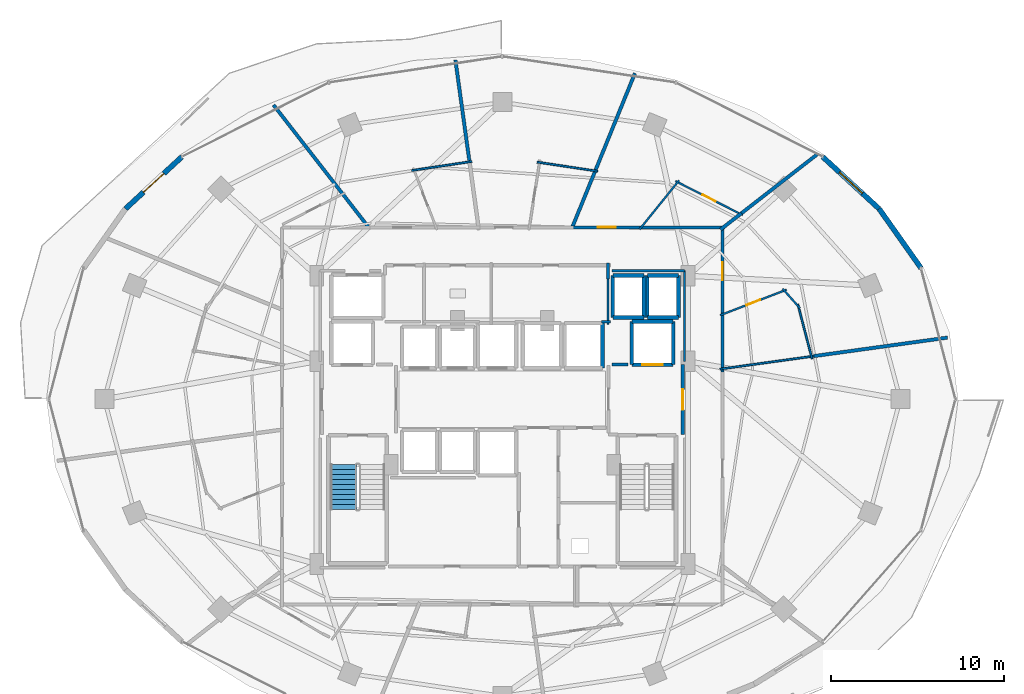
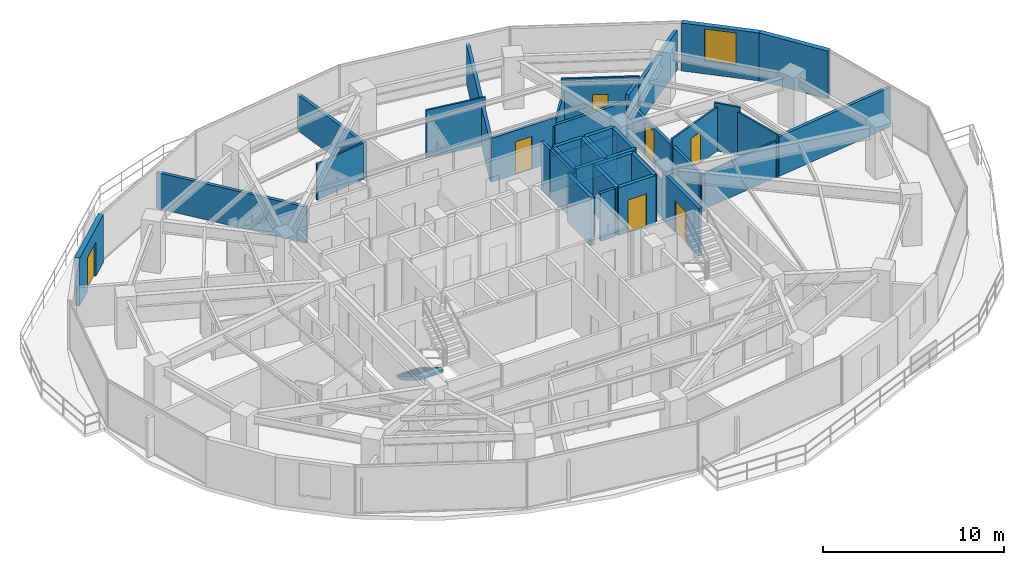
# One storey, part 25 of 30: 41 walls, 7 doors, 1 stair flight, 1 window, 8 openings, 1 element without a shape of its own.
"""IFC4 building model written with IfcOpenShell, lengths in metres."""

from ifc_helpers import new_model, si_unit, direction, frame, frame_2d, origin, place, context, subcontext, project, spatial, polyline, rectangle, outline, extrude, material, layer, layer_set, type_object, element, fill, aggregate, save


model = new_model("IFC4")

# Units and contexts
model_context = context("Model", 3, precision=1e-05, world=origin(), true_north=direction((0.0, 1.0)))
body_context = subcontext(model_context, "Body", "Model", "MODEL_VIEW")
ifc_project = project(units=[si_unit("LENGTHUNIT", "METRE"), si_unit("AREAUNIT", "SQUARE_METRE"), si_unit("VOLUMEUNIT", "CUBIC_METRE"), si_unit("PLANEANGLEUNIT", "RADIAN"), si_unit("MASSUNIT", "GRAM", prefix="KILO")], contexts=[model_context])

# Site, building, storey
site_placement = place(None, origin())
site = spatial("IfcSite", under=ifc_project, at=site_placement, CompositionType="ELEMENT")
building_placement = place(site_placement, origin())
building = spatial("IfcBuilding", under=site, at=building_placement, Name="Vorneva Point Tower", CompositionType="ELEMENT")
storey_placement = place(building_placement, frame((0.0, 0.0, 92.800048828125)))
storey = spatial("IfcBuildingStorey", under=building, at=storey_placement, Name="L24", CompositionType="ELEMENT", Elevation=92.800048828125)

# Wall, opening, door
ifc_material_1 = material(Name="Concrete B60 (C50/60)", Category="concrete")
ifc_layer_1 = layer(ifc_material_1, 0.5)
ifc_layer_set_1 = layer_set([ifc_layer_1], Name="Concrete B60 (C50/60)")
wall_type_1 = type_object("IfcWallType", Name="WL-CORE-500", PredefinedType="SHEAR", material=ifc_layer_set_1)
wall_1_placement = place(storey_placement, frame((45.5, 28.0, 0.0), z_axis=(0.0, 0.0, 1.0), x_axis=(1.0, 0.0, 0.0)))
wall_1 = element("IfcWall", 1, at=wall_1_placement, inside=storey, type_object=wall_type_1, Name="L24 Lift FFL2 Shaft Wall -Y", PredefinedType="SHEAR", context=body_context, shape_type="SweptSolid", body=[
    extrude(rectangle(XDim=2.39990234375, YDim=0.219970703125, at=frame_2d((1.199951171875, 0.0))), origin(), (0.0, 0.0, 1.0), 3.239990234375),
])
opening_1_placement = place(wall_1_placement, frame((0.60009765625, 0.0, 0.0)))
opening_1 = element("IfcOpeningElement", 2, at=opening_1_placement, cuts=wall_1, Name="Opening LD-02", PredefinedType="OPENING", context=body_context, shape_type="SweptSolid", body=[
    extrude(rectangle(XDim=1.199951171875, YDim=2.199951171875, at=frame_2d((0.60009765625, 1.10009765625))), frame((0.0, 0.125, 0.0), z_axis=(0.0, -1.0, 0.0), x_axis=(1.0, 0.0, 0.0)), (0.0, 0.0, 1.0), 0.249755859375),
])
ifc_material_2 = material(Name="Brushed stainless steel S304", Category="steel")
door_type_1 = type_object("IfcDoorType", Name="LD-FIRE-1200", OperationType="SLIDING_TO_LEFT", PredefinedType="DOOR", material=ifc_material_2)
door_1_placement = place(opening_1_placement, origin())
door_1 = element("IfcDoor", 3, at=door_1_placement, inside=storey, type_object=door_type_1, Name="L24 Lift FFL2 Sliding Landing Door", OperationType="SLIDING_TO_LEFT", OverallHeight=2.199951171875, OverallWidth=1.199951171875, PredefinedType="DOOR", context=body_context, shape_type="SweptSolid", body=[
    extrude(rectangle(XDim=1.199951171875, YDim=2.199951171875, at=frame_2d((0.60009765625, 1.10009765625))), frame((0.0, 0.02490234375, 0.0), z_axis=(0.0, -1.0, 0.0), x_axis=(1.0, 0.0, 0.0)), (0.0, 0.0, 1.0), 0.050048828125),
])
fill(opening_1, door_1)

# Walls
wall_2_placement = place(storey_placement, frame((47.89990234375, 28.0, 0.0), z_axis=(0.0, 0.0, 1.0), x_axis=(0.0, 1.0, 0.0)))
element("IfcWall", 4, at=wall_2_placement, inside=storey, type_object=wall_type_1, Name="L24 Lift FFL2 Shaft Wall +X", PredefinedType="SHEAR", context=body_context, shape_type="SweptSolid", body=[
    extrude(rectangle(XDim=2.5, YDim=0.219970703125, at=frame_2d((1.25, 0.0))), origin(), (0.0, 0.0, 1.0), 3.239990234375),
])
wall_3_placement = place(storey_placement, frame((47.89990234375, 30.5, 0.0), z_axis=(0.0, 0.0, 1.0), x_axis=(-1.0, 0.0, 0.0)))
element("IfcWall", 5, at=wall_3_placement, inside=storey, type_object=wall_type_1, Name="L24 Lift FFL2 Shaft Wall +Y", PredefinedType="SHEAR", context=body_context, shape_type="SweptSolid", body=[
    extrude(rectangle(XDim=2.39990234375, YDim=0.219970703125, at=frame_2d((1.199951171875, 0.0))), origin(), (0.0, 0.0, 1.0), 3.239990234375),
])
wall_4_placement = place(storey_placement, frame((45.5, 30.5, 0.0), z_axis=(0.0, 0.0, 1.0), x_axis=(0.0, -1.0, 0.0)))
element("IfcWall", 6, at=wall_4_placement, inside=storey, type_object=wall_type_1, Name="L24 Lift FFL2 Shaft Wall -X", PredefinedType="SHEAR", context=body_context, shape_type="SweptSolid", body=[
    extrude(rectangle(XDim=2.5, YDim=0.219970703125, at=frame_2d((1.25, 0.0))), origin(), (0.0, 0.0, 1.0), 3.239990234375),
])
ifc_material_3 = material(Name="Precast concrete B50 (C40/50)", Category="concrete")
ifc_layer_2 = layer(ifc_material_3, 0.300048828125)
ifc_layer_set_2 = layer_set([ifc_layer_2], Name="Precast concrete B50 (C40/50)")
wall_type_2 = type_object("IfcWallType", Name="WL-EXT-300", PredefinedType="STANDARD", material=ifc_layer_set_2)
wall_5_placement = place(storey_placement, frame((62.251708984375, 33.59619140625, 0.0), z_axis=(0.0, 0.0, 1.0), x_axis=(-0.57716435238, 0.81662801222, 0.0)))
element("IfcWall", 7, at=wall_5_placement, inside=storey, type_object=wall_type_2, Name="L24 Pale-Metal Facade Spandrel Wall 02.1", PredefinedType="STANDARD", context=body_context, shape_type="SweptSolid", body=[
    extrude(rectangle(XDim=4.202392578125, YDim=0.300048828125, at=frame_2d((2.10107421875, 0.0))), origin(), (0.0, 0.0, 1.0), 3.239990234375),
])

# Wall, opening, window
wall_6_placement = place(storey_placement, frame((59.826171875, 37.028076171875, 0.0), z_axis=(0.0, 0.0, 1.0), x_axis=(-0.735416718093, 0.677615119924, 0.0)))
wall_6 = element("IfcWall", 8, at=wall_6_placement, inside=storey, type_object=wall_type_2, Name="L24 Pale-Metal Facade Spandrel Wall 02.2", PredefinedType="STANDARD", context=body_context, shape_type="SweptSolid", body=[
    extrude(rectangle(XDim=4.439208984375, YDim=0.300048828125, at=frame_2d((2.2197265625, 0.0))), origin(), (0.0, 0.0, 1.0), 3.239990234375),
])
opening_2_placement = place(wall_6_placement, frame((1.319580078125, 0.0, 0.85009765625)))
opening_2 = element("IfcOpeningElement", 9, at=opening_2_placement, cuts=wall_6, Name="Opening W-01", PredefinedType="OPENING", context=body_context, shape_type="SweptSolid", body=[
    extrude(rectangle(XDim=1.800048828125, YDim=2.18994140625, at=frame_2d((0.89990234375, 1.094970703125))), frame((0.0, 0.1650390625, 0.0), z_axis=(0.0, -1.0, 0.0), x_axis=(1.0, 0.0, 0.0)), (0.0, 0.0, 1.0), 0.329833984375),
])
ifc_material_4 = material(Name="Double low-e laminated glass IGU", Category="glass")
window_type = type_object("IfcWindowType", Name="WN-LOG-1800", PartitioningType="SINGLE_PANEL", PredefinedType="WINDOW", material=ifc_material_4)
window_placement = place(opening_2_placement, origin())
window = element("IfcWindow", 10, at=window_placement, inside=storey, type_object=window_type, Name="L24 Facade Window 02", OverallHeight=2.18994140625, OverallWidth=1.800048828125, PartitioningType="SINGLE_PANEL", PredefinedType="WINDOW", context=body_context, shape_type="SweptSolid", body=[
    extrude(rectangle(XDim=1.800048828125, YDim=2.18994140625, at=frame_2d((0.89990234375, 1.094970703125))), frame((0.0, 0.030029296875, 0.0), z_axis=(0.0, -1.0, 0.0), x_axis=(1.0, 0.0, 0.0)), (0.0, 0.0, 1.0), 0.06005859375),
])
fill(opening_2, window)

# Wall, opening, door
wall_7_placement = place(storey_placement, frame((19.4384765625, 40.0361328125, 0.0), z_axis=(0.0, 0.0, 1.0), x_axis=(-0.735416718093, -0.677615119924, 0.0)))
wall_7 = element("IfcWall", 11, at=wall_7_placement, inside=storey, type_object=wall_type_2, Name="L24 Pale-Metal Facade Spandrel Wall 07.1", PredefinedType="STANDARD", context=body_context, shape_type="SweptSolid", body=[
    extrude(rectangle(XDim=4.439208984375, YDim=0.300048828125, at=frame_2d((2.2197265625, 0.0))), origin(), (0.0, 0.0, 1.0), 3.239990234375),
])
opening_3_placement = place(wall_7_placement, frame((1.41943359375, 0.0, 0.0)))
opening_3 = element("IfcOpeningElement", 12, at=opening_3_placement, cuts=wall_7, Name="Opening BD-01", PredefinedType="OPENING", context=body_context, shape_type="SweptSolid", body=[
    extrude(rectangle(XDim=1.60009765625, YDim=2.300048828125, at=frame_2d((0.800048828125, 1.14990234375))), frame((0.0, 0.1650390625, 0.0), z_axis=(0.0, -1.0, 0.0), x_axis=(1.0, 0.0, 0.0)), (0.0, 0.0, 1.0), 0.329833984375),
])
ifc_material_5 = material(Name="Pale anodised aluminium", Category="aluminium")
door_type_2 = type_object("IfcDoorType", Name="DR-BAL-1600", OperationType="SLIDING_TO_LEFT", PredefinedType="DOOR", material=ifc_material_5)
door_2_placement = place(opening_3_placement, origin())
door_2 = element("IfcDoor", 13, at=door_2_placement, inside=storey, type_object=door_type_2, Name="L24 Balcony Terrace Access Door 07", OperationType="SLIDING_TO_LEFT", OverallHeight=2.300048828125, OverallWidth=1.60009765625, PredefinedType="DOOR", context=body_context, shape_type="SweptSolid", body=[
    extrude(rectangle(XDim=1.60009765625, YDim=2.300048828125, at=frame_2d((0.800048828125, 1.14990234375))), frame((0.0, 0.02490234375, 0.0), z_axis=(0.0, -1.0, 0.0), x_axis=(1.0, 0.0, 0.0)), (0.0, 0.0, 1.0), 0.050048828125),
])
fill(opening_3, door_2)

# Walls
ifc_material_6 = material(Name="Fire-rated acoustic gypsum stud partition", Category="gypsum")
ifc_layer_3 = layer(ifc_material_6, 0.110107421875)
ifc_layer_set_3 = layer_set([ifc_layer_3], Name="Fire-rated acoustic gypsum stud partition")
wall_type_3 = type_object("IfcWallType", Name="WL-PART-110", PredefinedType="PARTITIONING", material=ifc_layer_set_3)
wall_8_placement = place(storey_placement, frame((54.240234375, 32.39794921875, 0.0), z_axis=(0.0, 0.0, 1.0), x_axis=(0.661931735756, -0.749564124808, 0.0)))
element("IfcWall", 14, at=wall_8_placement, inside=storey, type_object=wall_type_3, Name="L24 Interior Partition 049", PredefinedType="PARTITIONING", context=body_context, shape_type="SweptSolid", body=[
    extrude(rectangle(XDim=1.510009765625, YDim=0.110107421875, at=frame_2d((0.7548828125, 0.0))), origin(), (0.0, 0.0, 1.0), 3.239990234375),
])
wall_9_placement = place(storey_placement, frame((55.111328125, 31.50634765625, 0.0), z_axis=(0.0, 0.0, 1.0), x_axis=(0.254405137241, -0.967097733502, 0.0)))
element("IfcWall", 15, at=wall_9_placement, inside=storey, type_object=wall_type_3, Name="L24 Interior Partition 050", PredefinedType="PARTITIONING", context=body_context, shape_type="SweptSolid", body=[
    extrude(rectangle(XDim=3.271484375, YDim=0.110107421875, at=frame_2d((1.6357421875, 0.0))), origin(), (0.0, 0.0, 1.0), 2.921875),
])
wall_10_placement = place(storey_placement, frame((56.046630859375, 28.497314453125, 0.0), z_axis=(0.0, 0.0, 1.0), x_axis=(-0.990553307294, -0.137128207927, 0.0)))
element("IfcWall", 16, at=wall_10_placement, inside=storey, type_object=wall_type_3, Name="L24 Interior Partition 051", PredefinedType="PARTITIONING", context=body_context, shape_type="SweptSolid", body=[
    extrude(rectangle(XDim=5.487060546875, YDim=0.110107421875, at=frame_2d((2.74365234375, 0.0))), origin(), (0.0, 0.0, 1.0), 2.431884765625),
])

# Wall, opening, door
wall_11_placement = place(storey_placement, frame((50.619384765625, 30.86279296875, 0.0), z_axis=(0.0, 0.0, 1.0), x_axis=(0.933189718051, 0.359384126144, 0.0)))
wall_11 = element("IfcWall", 17, at=wall_11_placement, inside=storey, type_object=wall_type_3, Name="L24 Interior Partition 052", PredefinedType="PARTITIONING", context=body_context, shape_type="SweptSolid", body=[
    extrude(rectangle(XDim=4.119384765625, YDim=0.110107421875, at=frame_2d((2.0595703125, 0.0))), origin(), (0.0, 0.0, 1.0), 2.971923828125),
])
opening_4_placement = place(wall_11_placement, frame((1.634765625, 0.0, 0.0)))
opening_4 = element("IfcOpeningElement", 18, at=opening_4_placement, cuts=wall_11, Name="Opening ID-02", PredefinedType="OPENING", context=body_context, shape_type="SweptSolid", body=[
    extrude(rectangle(XDim=0.85009765625, YDim=2.10009765625, at=frame_2d((0.425048828125, 1.050048828125))), frame((0.0, 0.06982421875, 0.0), z_axis=(0.0, -1.0, 0.0), x_axis=(1.0, 0.0, 0.0)), (0.0, 0.0, 1.0), 0.139892578125),
])
ifc_material_7 = material(Name="Engineered oak fire-rated door leaf", Category="wood")
door_type_3 = type_object("IfcDoorType", Name="DR-BATH-850", OperationType="NOTDEFINED", PredefinedType="DOOR", material=ifc_material_7)
door_3_placement = place(opening_4_placement, origin())
door_3 = element("IfcDoor", 19, at=door_3_placement, inside=storey, type_object=door_type_3, Name="L24 Door Junior Suite L24-01 / En-Suite Bathroom L24-01", OperationType="SINGLE_SWING_RIGHT", OverallHeight=2.10009765625, OverallWidth=0.85009765625, PredefinedType="DOOR", context=body_context, shape_type="SweptSolid", body=[
    extrude(rectangle(XDim=0.85009765625, YDim=2.10009765625, at=frame_2d((0.425048828125, 1.050048828125))), frame((0.0, 0.02490234375, 0.0), z_axis=(0.0, -1.0, 0.0), x_axis=(1.0, 0.0, 0.0)), (0.0, 0.0, 1.0), 0.050048828125),
])
fill(opening_4, door_3)

# Wall
wall_12_placement = place(storey_placement, frame((45.950927734375, 35.841064453125, 0.0), z_axis=(0.0, 0.0, 1.0), x_axis=(0.628411924203, 0.77788074505, 0.0)))
element("IfcWall", 20, at=wall_12_placement, inside=storey, type_object=wall_type_3, Name="L24 Interior Partition 056", PredefinedType="PARTITIONING", context=body_context, shape_type="SweptSolid", body=[
    extrude(rectangle(XDim=3.645751953125, YDim=0.110107421875, at=frame_2d((1.82275390625, 0.0))), origin(), (0.0, 0.0, 1.0), 2.431884765625),
])

# Wall, opening, door
wall_13_placement = place(storey_placement, frame((48.029052734375, 38.631103515625, 0.0), z_axis=(0.0, 0.0, 1.0), x_axis=(0.892459125519, -0.451128262558, 0.0)))
wall_13 = element("IfcWall", 21, at=wall_13_placement, inside=storey, type_object=wall_type_3, Name="L24 Interior Partition 057", PredefinedType="PARTITIONING", context=body_context, shape_type="SweptSolid", body=[
    extrude(rectangle(XDim=4.36083984375, YDim=0.110107421875, at=frame_2d((2.180419921875, 0.0))), origin(), (0.0, 0.0, 1.0), 3.239990234375),
])
opening_5_placement = place(wall_13_placement, frame((1.75537109375, 0.0, 0.0)))
opening_5 = element("IfcOpeningElement", 22, at=opening_5_placement, cuts=wall_13, Name="Opening ID-02", PredefinedType="OPENING", context=body_context, shape_type="SweptSolid", body=[
    extrude(rectangle(XDim=0.85009765625, YDim=2.10009765625, at=frame_2d((0.425048828125, 1.050048828125))), frame((0.0, 0.06982421875, 0.0), z_axis=(0.0, -1.0, 0.0), x_axis=(1.0, 0.0, 0.0)), (0.0, 0.0, 1.0), 0.139892578125),
])
door_4_placement = place(opening_5_placement, origin())
door_4 = element("IfcDoor", 23, at=door_4_placement, inside=storey, type_object=door_type_3, Name="L24 Door Executive Suite L24-02 / En-Suite Bathroom L24-02", OperationType="SINGLE_SWING_LEFT", OverallHeight=2.10009765625, OverallWidth=0.85009765625, PredefinedType="DOOR", context=body_context, shape_type="SweptSolid", body=[
    extrude(rectangle(XDim=0.85009765625, YDim=2.10009765625, at=frame_2d((0.425048828125, 1.050048828125))), frame((0.0, 0.02490234375, 0.0), z_axis=(0.0, -1.0, 0.0), x_axis=(1.0, 0.0, 0.0)), (0.0, 0.0, 1.0), 0.050048828125),
])
fill(opening_5, door_4)

# Walls
wall_14_placement = place(storey_placement, frame((40.0166015625, 39.73291015625, 0.0), z_axis=(0.0, 0.0, 1.0), x_axis=(0.988835521732, -0.149011110196, 0.0)))
element("IfcWall", 24, at=wall_14_placement, inside=storey, type_object=wall_type_3, Name="L24 Interior Partition 059", PredefinedType="PARTITIONING", context=body_context, shape_type="SweptSolid", body=[
    extrude(rectangle(XDim=3.542236328125, YDim=0.110107421875, at=frame_2d((1.77099609375, 0.0))), origin(), (0.0, 0.0, 1.0), 3.239990234375),
])
wall_15_placement = place(storey_placement, frame((32.74951171875, 39.24609375, 0.0), z_axis=(0.0, 0.0, 1.0), x_axis=(0.988874324222, 0.148753389525, 0.0)))
element("IfcWall", 25, at=wall_15_placement, inside=storey, type_object=wall_type_3, Name="L24 Interior Partition 064", PredefinedType="PARTITIONING", context=body_context, shape_type="SweptSolid", body=[
    extrude(rectangle(XDim=3.527099609375, YDim=0.110107421875, at=frame_2d((1.763671875, 0.0))), origin(), (0.0, 0.0, 1.0), 2.431884765625),
])
ifc_layer_4 = layer(ifc_material_6, 0.139892578125)
ifc_layer_set_4 = layer_set([ifc_layer_4], Name="Fire-rated acoustic gypsum stud partition")
wall_type_4 = type_object("IfcWallType", Name="WL-PART-140", PredefinedType="PARTITIONING", material=ifc_layer_set_4)
wall_16_placement = place(storey_placement, frame((43.735107421875, 30.47998046875, 0.0), z_axis=(0.0, 0.0, 1.0), x_axis=(1.0, 0.0, 0.0)))
element("IfcWall", 26, at=wall_16_placement, inside=storey, type_object=wall_type_4, Name="L24 Interior Closure Partition 091", PredefinedType="PARTITIONING", context=body_context, shape_type="SweptSolid", body=[
    extrude(rectangle(XDim=0.52490234375, YDim=0.139892578125, at=frame_2d((0.262451171875, 0.0))), origin(), (0.0, 0.0, 1.0), 3.239990234375),
])
wall_17_placement = place(storey_placement, frame((44.1201171875, 30.340087890625, 0.0), z_axis=(0.0, 0.0, 1.0), x_axis=(0.0, 1.0, 0.0)))
element("IfcWall", 27, at=wall_17_placement, inside=storey, type_object=wall_type_4, Name="L24 Interior Closure Partition 092", PredefinedType="PARTITIONING", context=body_context, shape_type="SweptSolid", body=[
    extrude(rectangle(XDim=2.659912109375, YDim=0.139892578125, at=frame_2d((1.330078125, 0.0))), origin(), (0.0, 0.0, 1.0), 3.239990234375),
])
wall_18_placement = place(storey_placement, frame((44.340087890625, 33.449951171875, 0.0), z_axis=(0.0, 0.0, 1.0), x_axis=(1.0, 0.0, 0.0)))
element("IfcWall", 28, at=wall_18_placement, inside=storey, type_object=wall_type_4, Name="L24 Interior Closure Partition 094", PredefinedType="PARTITIONING", context=body_context, shape_type="SweptSolid", body=[
    extrude(rectangle(XDim=4.2099609375, YDim=0.139892578125, at=frame_2d((2.10498046875, 0.0))), origin(), (0.0, 0.0, 1.0), 2.431884765625),
])
wall_19_placement = place(storey_placement, frame((48.550048828125, 33.449951171875, 0.0), z_axis=(0.0, 0.0, 1.0), x_axis=(0.0, -1.0, 0.0)))
element("IfcWall", 29, at=wall_19_placement, inside=storey, type_object=wall_type_4, Name="L24 Interior Closure Partition 095", PredefinedType="PARTITIONING", context=body_context, shape_type="SweptSolid", body=[
    extrude(rectangle(XDim=5.25390625, YDim=0.139892578125, at=frame_2d((2.626953125, 0.0))), origin(), (0.0, 0.0, 1.0), 2.431884765625),
])

# Wall, opening, door
ifc_material_8 = material(Name="Autoclaved aerated concrete blockwork", Category="masonry")
ifc_layer_5 = layer(ifc_material_8, 0.179931640625)
ifc_layer_set_5 = layer_set([ifc_layer_5], Name="Autoclaved aerated concrete blockwork")
wall_type_5 = type_object("IfcWallType", Name="WL-PART-180", PredefinedType="PARTITIONING", material=ifc_layer_set_5)
wall_20_placement = place(storey_placement, frame((48.449951171875, 23.949951171875, 0.0), z_axis=(0.0, 0.0, 1.0), x_axis=(0.0, 1.0, 0.0)))
wall_20 = element("IfcWall", 30, at=wall_20_placement, inside=storey, type_object=wall_type_5, Name="L24 Interior Partition 005", PredefinedType="PARTITIONING", context=body_context, shape_type="SweptSolid", body=[
    extrude(rectangle(XDim=4.050048828125, YDim=0.179931640625, at=frame_2d((2.02490234375, 0.0))), origin(), (0.0, 0.0, 1.0), 3.239990234375),
])
opening_6_placement = place(wall_20_placement, frame((1.425048828125, 0.0, 0.0)))
opening_6 = element("IfcOpeningElement", 31, at=opening_6_placement, cuts=wall_20, Name="Opening FD-02", PredefinedType="OPENING", context=body_context, shape_type="SweptSolid", body=[
    extrude(rectangle(XDim=1.199951171875, YDim=2.14990234375, at=frame_2d((0.60009765625, 1.074951171875))), frame((0.0, 0.10498046875, 0.0), z_axis=(0.0, -1.0, 0.0), x_axis=(1.0, 0.0, 0.0)), (0.0, 0.0, 1.0), 0.209716796875),
])
ifc_material_9 = material(Name="Fire-rated powder-coated steel", Category="steel")
door_type_4 = type_object("IfcDoorType", Name="DR-FFL-1200", OperationType="NOTDEFINED", PredefinedType="DOOR", material=ifc_material_9)
door_5_placement = place(opening_6_placement, origin())
door_5 = element("IfcDoor", 32, at=door_5_placement, inside=storey, type_object=door_type_4, Name="L24 Door East Firefighting Lobby / L24 Circulation Corridor", OperationType="SINGLE_SWING_LEFT", OverallHeight=2.14990234375, OverallWidth=1.199951171875, PredefinedType="DOOR", context=body_context, shape_type="SweptSolid", body=[
    extrude(rectangle(XDim=1.199951171875, YDim=2.14990234375, at=frame_2d((0.60009765625, 1.074951171875))), frame((0.0, 0.02490234375, 0.0), z_axis=(0.0, -1.0, 0.0), x_axis=(1.0, 0.0, 0.0)), (0.0, 0.0, 1.0), 0.050048828125),
])
fill(opening_6, door_5)

# Wall
wall_21_placement = place(storey_placement, frame((44.1201171875, 32.969970703125, 0.0), z_axis=(0.0, 0.0, 1.0), x_axis=(0.0, 1.0, 0.0)))
element("IfcWall", 33, at=wall_21_placement, inside=storey, type_object=wall_type_5, Name="L24 Interior Partition 020", PredefinedType="PARTITIONING", context=body_context, shape_type="SweptSolid", body=[
    extrude(rectangle(XDim=0.929931640625, YDim=0.179931640625, at=frame_2d((0.46484375, 0.0))), origin(), (0.0, 0.0, 1.0), 3.239990234375),
])

# Wall, opening, door
wall_22_placement = place(storey_placement, frame((50.75, 30.85302734375, 0.0), z_axis=(0.0, 0.0, 1.0), x_axis=(0.0, 1.0, 0.0)))
wall_22 = element("IfcWall", 34, at=wall_22_placement, inside=storey, type_object=wall_type_5, Name="L24 Interior Partition 022", PredefinedType="PARTITIONING", context=body_context, shape_type="SweptSolid", body=[
    extrude(rectangle(XDim=5.096923828125, YDim=0.179931640625, at=frame_2d((2.54833984375, 0.0))), origin(), (0.0, 0.0, 1.0), 2.431884765625),
])
opening_7_placement = place(wall_22_placement, frame((2.0234375, 0.0, 0.0)))
opening_7 = element("IfcOpeningElement", 35, at=opening_7_placement, cuts=wall_22, Name="Opening UD-02", PredefinedType="OPENING", context=body_context, shape_type="SweptSolid", body=[
    extrude(rectangle(XDim=1.050048828125, YDim=2.199951171875, at=frame_2d((0.52490234375, 1.10009765625))), frame((0.0, 0.10498046875, 0.0), z_axis=(0.0, -1.0, 0.0), x_axis=(1.0, 0.0, 0.0)), (0.0, 0.0, 1.0), 0.209716796875),
])
door_type_5 = type_object("IfcDoorType", Name="DR-SUITE-1050", OperationType="NOTDEFINED", PredefinedType="DOOR", material=ifc_material_7)
door_6_placement = place(opening_7_placement, origin())
door_6 = element("IfcDoor", 36, at=door_6_placement, inside=storey, type_object=door_type_5, Name="L24 Door L24 Circulation Corridor / Junior Suite L24-01", OperationType="SINGLE_SWING_RIGHT", OverallHeight=2.199951171875, OverallWidth=1.050048828125, PredefinedType="DOOR", context=body_context, shape_type="SweptSolid", body=[
    extrude(rectangle(XDim=1.050048828125, YDim=2.199951171875, at=frame_2d((0.52490234375, 1.10009765625))), frame((0.0, 0.02490234375, 0.0), z_axis=(0.0, -1.0, 0.0), x_axis=(1.0, 0.0, 0.0)), (0.0, 0.0, 1.0), 0.050048828125),
])
fill(opening_7, door_6)

# Wall
wall_23_placement = place(storey_placement, frame((50.75, 27.56396484375, 0.0), z_axis=(0.0, 0.0, 1.0), x_axis=(0.0, 1.0, 0.0)))
element("IfcWall", 37, at=wall_23_placement, inside=storey, type_object=wall_type_5, Name="L24 Interior Partition 023", PredefinedType="PARTITIONING", context=body_context, shape_type="SweptSolid", body=[
    extrude(rectangle(XDim=3.428955078125, YDim=0.179931640625, at=frame_2d((1.71435546875, 0.0))), origin(), (0.0, 0.0, 1.0), 2.431884765625),
])

# Wall, opening, door
wall_24_placement = place(storey_placement, frame((46.115966796875, 35.949951171875, 0.0), z_axis=(0.0, 0.0, 1.0), x_axis=(-1.0, 0.0, 0.0)))
wall_24 = element("IfcWall", 38, at=wall_24_placement, inside=storey, type_object=wall_type_5, Name="L24 Interior Partition 024", PredefinedType="PARTITIONING", context=body_context, shape_type="SweptSolid", body=[
    extrude(rectangle(XDim=4.1279296875, YDim=0.179931640625, at=frame_2d((2.06396484375, 0.0))), origin(), (0.0, 0.0, 1.0), 2.971923828125),
])
opening_8_placement = place(wall_24_placement, frame((1.5390625, 0.0, 0.0)))
opening_8 = element("IfcOpeningElement", 39, at=opening_8_placement, cuts=wall_24, Name="Opening UD-02", PredefinedType="OPENING", context=body_context, shape_type="SweptSolid", body=[
    extrude(rectangle(XDim=1.050048828125, YDim=2.199951171875, at=frame_2d((0.52490234375, 1.10009765625))), frame((0.0, 0.10498046875, 0.0), z_axis=(0.0, -1.0, 0.0), x_axis=(1.0, 0.0, 0.0)), (0.0, 0.0, 1.0), 0.209716796875),
])
door_7_placement = place(opening_8_placement, origin())
door_7 = element("IfcDoor", 40, at=door_7_placement, inside=storey, type_object=door_type_5, Name="L24 Door L24 Circulation Corridor / Executive Suite L24-02", OperationType="SINGLE_SWING_LEFT", OverallHeight=2.199951171875, OverallWidth=1.050048828125, PredefinedType="DOOR", context=body_context, shape_type="SweptSolid", body=[
    extrude(rectangle(XDim=1.050048828125, YDim=2.199951171875, at=frame_2d((0.52490234375, 1.10009765625))), frame((0.0, 0.02490234375, 0.0), z_axis=(0.0, -1.0, 0.0), x_axis=(1.0, 0.0, 0.0)), (0.0, 0.0, 1.0), 0.050048828125),
])
fill(opening_8, door_7)

# Walls
wall_25_placement = place(storey_placement, frame((50.889892578125, 35.949951171875, 0.0), z_axis=(0.0, 0.0, 1.0), x_axis=(-1.0, 0.0, 0.0)))
element("IfcWall", 41, at=wall_25_placement, inside=storey, type_object=wall_type_5, Name="L24 Interior Partition 025", PredefinedType="PARTITIONING", context=body_context, shape_type="SweptSolid", body=[
    extrude(rectangle(XDim=4.913818359375, YDim=0.179931640625, at=frame_2d((2.45703125, 0.0))), origin(), (0.0, 0.0, 1.0), 2.431884765625),
])
wall_26_placement = place(storey_placement, frame((45.280029296875, 28.0, 0.0), z_axis=(0.0, 0.0, 1.0), x_axis=(-1.0, 0.0, 0.0)))
element("IfcWall", 42, at=wall_26_placement, inside=storey, type_object=wall_type_5, Name="L24 Interior Closure Partition 087", PredefinedType="PARTITIONING", context=body_context, shape_type="SweptSolid", body=[
    extrude(rectangle(XDim=0.9150390625, YDim=0.179931640625, at=frame_2d((0.45751953125, 0.0))), origin(), (0.0, 0.0, 1.0), 3.239990234375),
])
ifc_layer_6 = layer(ifc_material_8, 0.199951171875)
ifc_layer_set_6 = layer_set([ifc_layer_6], Name="Autoclaved aerated concrete blockwork")
wall_type_6 = type_object("IfcWallType", Name="WL-PART-200", PredefinedType="PARTITIONING", material=ifc_layer_set_6)
wall_27_placement = place(storey_placement, frame((56.27490234375, 40.2099609375, 0.0), z_axis=(0.0, 0.0, 1.0), x_axis=(-0.78943235806, -0.613837561614, 0.0)))
element("IfcWall", 43, at=wall_27_placement, inside=storey, type_object=wall_type_6, Name="L24 Interior Partition 053", PredefinedType="PARTITIONING", context=body_context, shape_type="SweptSolid", body=[
    extrude(rectangle(XDim=5.74072265625, YDim=0.199951171875, at=frame_2d((2.870361328125, 0.0))), origin(), (0.0, 0.0, 1.0), 2.677001953125),
])
wall_28_placement = place(storey_placement, frame((51.853515625, 36.772216796875, 0.0), z_axis=(0.0, 0.0, 1.0), x_axis=(-0.789420593357, -0.613852691436, 0.0)))
element("IfcWall", 44, at=wall_28_placement, inside=storey, type_object=wall_type_6, Name="L24 Interior Partition 054", PredefinedType="PARTITIONING", context=body_context, shape_type="SweptSolid", body=[
    extrude(rectangle(XDim=1.5380859375, YDim=0.199951171875, at=frame_2d((0.76904296875, 0.0))), origin(), (0.0, 0.0, 1.0), 2.921875),
])
wall_29_placement = place(storey_placement, frame((56.046875, 28.49658203125, 0.0), z_axis=(0.0, 0.0, 1.0), x_axis=(0.990569127114, 0.137013883997, 0.0)))
element("IfcWall", 45, at=wall_29_placement, inside=storey, type_object=wall_type_6, Name="L24 Interior Partition 055", PredefinedType="PARTITIONING", context=body_context, shape_type="SweptSolid", body=[
    extrude(rectangle(XDim=7.811767578125, YDim=0.199951171875, at=frame_2d((3.90576171875, 0.0))), origin(), (0.0, 0.0, 1.0), 2.677001953125),
])
wall_30_placement = place(storey_placement, frame((45.681884765625, 44.8798828125, 0.0), z_axis=(0.0, 0.0, 1.0), x_axis=(-0.376911553655, -0.9262492541, 0.0)))
element("IfcWall", 46, at=wall_30_placement, inside=storey, type_object=wall_type_6, Name="L24 Interior Partition 058", PredefinedType="PARTITIONING", context=body_context, shape_type="SweptSolid", body=[
    extrude(rectangle(XDim=9.640869140625, YDim=0.199951171875, at=frame_2d((4.8203125, 0.0))), origin(), (0.0, 0.0, 1.0), 2.677001953125),
])
wall_31_placement = place(storey_placement, frame((35.282958984375, 45.64697265625, 0.0), z_axis=(0.0, 0.0, 1.0), x_axis=(0.137015172239, -0.990568948926, 0.0)))
element("IfcWall", 47, at=wall_31_placement, inside=storey, type_object=wall_type_6, Name="L24 Interior Partition 061", PredefinedType="PARTITIONING", context=body_context, shape_type="SweptSolid", body=[
    extrude(rectangle(XDim=6.013671875, YDim=0.199951171875, at=frame_2d((3.0068359375, 0.0))), origin(), (0.0, 0.0, 1.0), 2.431884765625),
])
wall_32_placement = place(storey_placement, frame((24.7490234375, 43.041015625, 0.0), z_axis=(0.0, 0.0, 1.0), x_axis=(0.61384652665, -0.789425387051, 0.0)))
element("IfcWall", 48, at=wall_32_placement, inside=storey, type_object=wall_type_6, Name="L24 Interior Partition 065", PredefinedType="PARTITIONING", context=body_context, shape_type="SweptSolid", body=[
    extrude(rectangle(XDim=8.982666015625, YDim=0.199951171875, at=frame_2d((4.4912109375, 0.0))), origin(), (0.0, 0.0, 1.0), 2.431884765625),
])
ifc_material_10 = material(Name="Concrete B50 (C40/50)", Category="concrete")
ifc_layer_7 = layer(ifc_material_10, 0.219970703125)
ifc_layer_set_7 = layer_set([ifc_layer_7], Name="Concrete B50 (C40/50)")
wall_type_7 = type_object("IfcWallType", Name="WL-SHFT-220", PredefinedType="SOLIDWALL", material=ifc_layer_set_7)
wall_33_placement = place(storey_placement, frame((43.800048828125, 27.800048828125, 0.0), z_axis=(0.0, 0.0, 1.0), x_axis=(0.0, 1.0, 0.0)))
element("IfcWall", 49, at=wall_33_placement, inside=storey, type_object=wall_type_7, Name="L24 Lift PL8 Shaft Wall +X", PredefinedType="SOLIDWALL", context=body_context, shape_type="SweptSolid", body=[
    extrude(rectangle(XDim=2.599853515625, YDim=0.219970703125, at=frame_2d((1.2998046875, 0.0))), origin(), (0.0, 0.0, 1.0), 3.239990234375),
])
wall_34_placement = place(storey_placement, frame((44.39990234375, 30.739990234375, 0.0), z_axis=(0.0, 0.0, 1.0), x_axis=(1.0, 0.0, 0.0)))
element("IfcWall", 50, at=wall_34_placement, inside=storey, type_object=wall_type_7, Name="L24 Lift EX1 Shaft Wall -Y", PredefinedType="SOLIDWALL", context=body_context, shape_type="SweptSolid", body=[
    extrude(rectangle(XDim=1.800048828125, YDim=0.219970703125, at=frame_2d((0.89990234375, 0.0))), origin(), (0.0, 0.0, 1.0), 3.239990234375),
])
wall_35_placement = place(storey_placement, frame((46.199951171875, 30.739990234375, 0.0), z_axis=(0.0, 0.0, 1.0), x_axis=(0.0, 1.0, 0.0)))
element("IfcWall", 51, at=wall_35_placement, inside=storey, type_object=wall_type_7, Name="L24 Lift EX1 Shaft Wall +X", PredefinedType="SOLIDWALL", context=body_context, shape_type="SweptSolid", body=[
    extrude(rectangle(XDim=2.419921875, YDim=0.219970703125, at=frame_2d((1.2099609375, 0.0))), origin(), (0.0, 0.0, 1.0), 3.239990234375),
])
wall_36_placement = place(storey_placement, frame((46.199951171875, 33.159912109375, 0.0), z_axis=(0.0, 0.0, 1.0), x_axis=(-1.0, 0.0, 0.0)))
element("IfcWall", 52, at=wall_36_placement, inside=storey, type_object=wall_type_7, Name="L24 Lift EX1 Shaft Wall +Y", PredefinedType="SOLIDWALL", context=body_context, shape_type="SweptSolid", body=[
    extrude(rectangle(XDim=1.800048828125, YDim=0.219970703125, at=frame_2d((0.89990234375, 0.0))), origin(), (0.0, 0.0, 1.0), 3.239990234375),
])
wall_37_placement = place(storey_placement, frame((44.39990234375, 33.159912109375, 0.0), z_axis=(0.0, 0.0, 1.0), x_axis=(0.0, -1.0, 0.0)))
element("IfcWall", 53, at=wall_37_placement, inside=storey, type_object=wall_type_7, Name="L24 Lift EX1 Shaft Wall -X", PredefinedType="SOLIDWALL", context=body_context, shape_type="SweptSolid", body=[
    extrude(rectangle(XDim=2.419921875, YDim=0.219970703125, at=frame_2d((1.2099609375, 0.0))), origin(), (0.0, 0.0, 1.0), 3.239990234375),
])
wall_38_placement = place(storey_placement, frame((46.39990234375, 30.739990234375, 0.0), z_axis=(0.0, 0.0, 1.0), x_axis=(1.0, 0.0, 0.0)))
element("IfcWall", 54, at=wall_38_placement, inside=storey, type_object=wall_type_7, Name="L24 Lift EX2 Shaft Wall -Y", PredefinedType="SOLIDWALL", context=body_context, shape_type="SweptSolid", body=[
    extrude(rectangle(XDim=1.800048828125, YDim=0.219970703125, at=frame_2d((0.89990234375, 0.0))), origin(), (0.0, 0.0, 1.0), 3.239990234375),
])
wall_39_placement = place(storey_placement, frame((48.199951171875, 30.739990234375, 0.0), z_axis=(0.0, 0.0, 1.0), x_axis=(0.0, 1.0, 0.0)))
element("IfcWall", 55, at=wall_39_placement, inside=storey, type_object=wall_type_7, Name="L24 Lift EX2 Shaft Wall +X", PredefinedType="SOLIDWALL", context=body_context, shape_type="SweptSolid", body=[
    extrude(rectangle(XDim=2.419921875, YDim=0.219970703125, at=frame_2d((1.2099609375, 0.0))), origin(), (0.0, 0.0, 1.0), 3.239990234375),
])
wall_40_placement = place(storey_placement, frame((48.199951171875, 33.159912109375, 0.0), z_axis=(0.0, 0.0, 1.0), x_axis=(-1.0, 0.0, 0.0)))
element("IfcWall", 56, at=wall_40_placement, inside=storey, type_object=wall_type_7, Name="L24 Lift EX2 Shaft Wall +Y", PredefinedType="SOLIDWALL", context=body_context, shape_type="SweptSolid", body=[
    extrude(rectangle(XDim=1.800048828125, YDim=0.219970703125, at=frame_2d((0.89990234375, 0.0))), origin(), (0.0, 0.0, 1.0), 3.239990234375),
])
wall_41_placement = place(storey_placement, frame((46.39990234375, 33.159912109375, 0.0), z_axis=(0.0, 0.0, 1.0), x_axis=(0.0, -1.0, 0.0)))
element("IfcWall", 57, at=wall_41_placement, inside=storey, type_object=wall_type_7, Name="L24 Lift EX2 Shaft Wall -X", PredefinedType="SOLIDWALL", context=body_context, shape_type="SweptSolid", body=[
    extrude(rectangle(XDim=2.419921875, YDim=0.219970703125, at=frame_2d((1.2099609375, 0.0))), origin(), (0.0, 0.0, 1.0), 3.239990234375),
])

# Stair, stair flight
stair_type = type_object("IfcStairType", Name="ST-DOG-1500", PredefinedType="HALF_TURN_STAIR", material=ifc_material_10)
stair_placement = place(storey_placement, origin())
stair = element("IfcStair", 58, at=stair_placement, inside=storey, type_object=stair_type, Name="L24 ST1", PredefinedType="HALF_TURN_STAIR")
stair_flight_type = type_object("IfcStairFlightType", Name="STF-1500", PredefinedType="STRAIGHT", material=ifc_material_10)
stair_flight_placement = place(storey_placement, frame((28.800048828125, 22.219970703125, 0.0), z_axis=(0.0, 0.0, 1.0), x_axis=(0.0, -1.0, 0.0)))
stair_flight = element("IfcStairFlight", 59, at=stair_flight_placement, type_object=stair_flight_type, Name="ST1 flight 1", NumberOfRisers=10, NumberOfTreads=9, PredefinedType="STRAIGHT", RiserHeight=0.175, TreadLength=0.29, context=body_context, shape_type="SweptSolid", body=[
    extrude(outline(polyline([(0.0, 0.0), (0.0, 0.175048828125), (0.2900390625, 0.175048828125), (0.2900390625, 0.35009765625), (0.580078125, 0.35009765625), (0.580078125, 0.52490234375), (0.8701171875, 0.52490234375), (0.8701171875, 0.699951171875), (1.159912109375, 0.699951171875), (1.159912109375, 0.875), (1.449951171875, 0.875), (1.449951171875, 1.050048828125), (1.739990234375, 1.050048828125), (1.739990234375, 1.22509765625), (2.030029296875, 1.22509765625), (2.030029296875, 1.39990234375), (2.320068359375, 1.39990234375), (2.320068359375, 1.574951171875), (2.610107421875, 1.574951171875), (2.610107421875, 1.75), (2.610107421875, 1.36474609375), (0.34814453125, 0.0), (0.0, 0.0)])), frame((0.0, 0.75, 0.0), z_axis=(0.0, -1.0, 0.0), x_axis=(1.0, 0.0, 0.0)), (0.0, 0.0, 1.0), 1.5),
])
aggregate(stair, [stair_flight])

save(model, "model.ifc")
